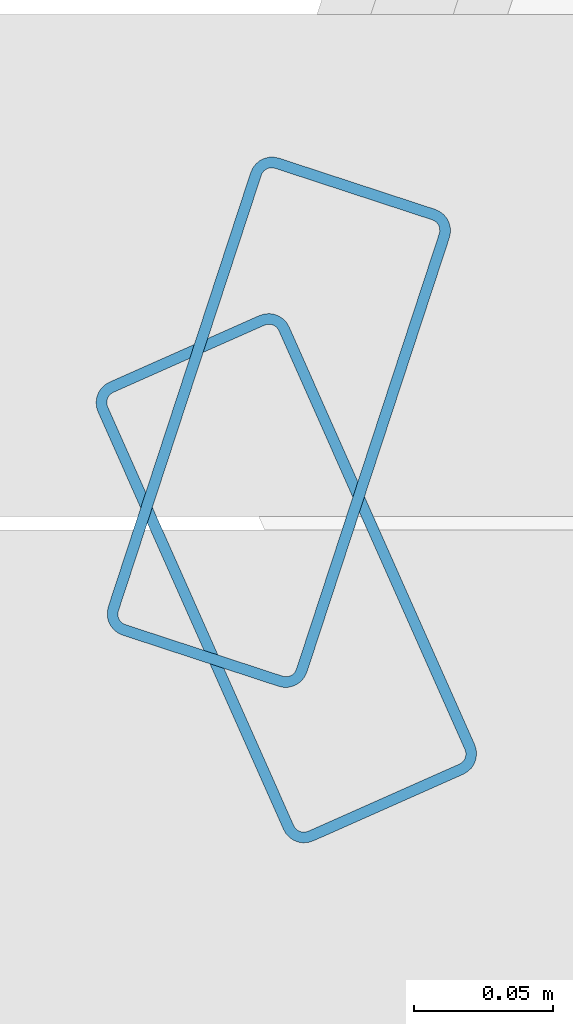
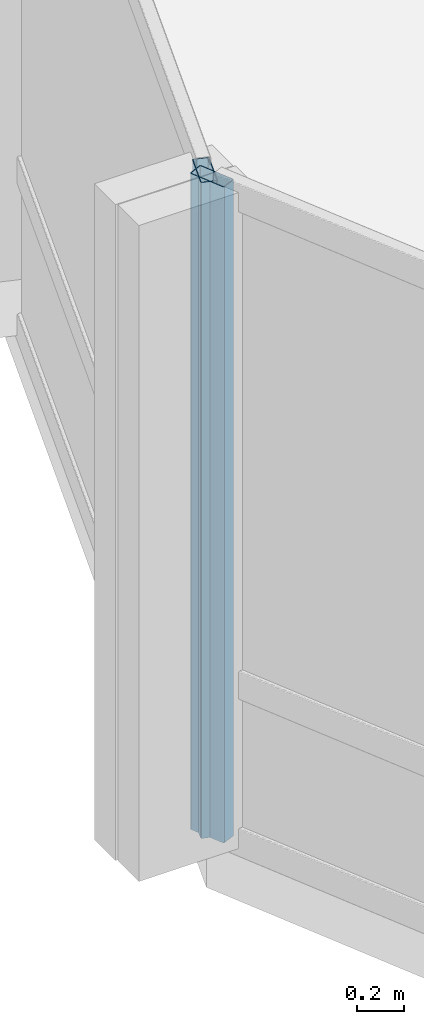
# One storey, part 6 of 29: 2 members, 2 elements without a shape of their own.
"""IFC4 building model written with IfcOpenShell, lengths in metres."""

from ifc_helpers import new_model, si_unit, direction, frame, origin, origin_2d, place, context, subcontext, project, spatial, hollow_rectangle, extrude, material, layer, layer_set, material_profile, profile_set, type_object, element, aggregate, save


model = new_model("IFC4")

# Units and contexts
model_context = context("Model", 3, precision=1e-05, world=origin(), true_north=direction((0.0, 1.0)))
body_context = subcontext(model_context, "Body", "Model", "MODEL_VIEW")
ifc_project = project(units=[si_unit("LENGTHUNIT", "METRE"), si_unit("AREAUNIT", "SQUARE_METRE"), si_unit("VOLUMEUNIT", "CUBIC_METRE"), si_unit("PLANEANGLEUNIT", "RADIAN"), si_unit("MASSUNIT", "GRAM", prefix="KILO")], contexts=[model_context])

# Site, building, storey
site_placement = place(None, origin())
site = spatial("IfcSite", under=ifc_project, at=site_placement, CompositionType="ELEMENT")
building_placement = place(site_placement, origin())
building = spatial("IfcBuilding", under=site, at=building_placement, Name="Solvaryn Broadcast Tower", CompositionType="ELEMENT")
storey_placement = place(building_placement, frame((0.0, 0.0, 161.800048828125)))
storey = spatial("IfcBuildingStorey", under=building, at=storey_placement, Name="L40", CompositionType="ELEMENT", Elevation=161.800048828125)

# Curtain wall, member
ifc_material_1 = material(Name="Aluminium and Terracotta Unitised Curtain Wall", Category="masonry")
ifc_layer_1 = layer(ifc_material_1, 0.199951171875)
ifc_layer_set_1 = layer_set([ifc_layer_1], Name="CW-SYS2-LOWMID")
curtain_wall_type_1 = type_object("IfcCurtainWallType", Name="CW-SYS2-LOWMID", PredefinedType="NOTDEFINED", material=ifc_layer_set_1)
curtain_wall_1_placement = place(storey_placement, origin())
curtain_wall_1 = element("IfcCurtainWall", 1, at=curtain_wall_1_placement, inside=storey, type_object=curtain_wall_type_1, Name="L40 Curtain Wall DR1", PredefinedType="NOTDEFINED")
ifc_material_2 = material(Name="Anodised Aluminium 6063-T6", Category="aluminium")
ifc_material_profile = material_profile(ifc_material_2, hollow_rectangle(XDim=0.074951171875, YDim=0.179931640625, WallThickness=0.00390625, InnerFilletRadius=0.00390625, OuterFilletRadius=0.008056640625, at=origin_2d()))
ifc_profile_set = profile_set([ifc_material_profile], Name="Anodised Aluminium 6063-T6")
member_type = type_object("IfcMemberType", Name="CW-MUL-180", PredefinedType="MULLION", material=ifc_profile_set)
member_1_placement = place(storey_placement, frame((1.04345703125, 26.66455078125, 0.0), z_axis=(0.0, 0.0, 1.0), x_axis=(0.950198260794, -0.311646057547, 0.0)))
member_1 = element("IfcMember", 2, at=member_1_placement, type_object=member_type, Name="CWS2 mullion 2", PredefinedType="MULLION", context=body_context, shape_type="SweptSolid", body=[
    extrude(hollow_rectangle(XDim=0.074951171875, YDim=0.179931640625, WallThickness=0.00390625, InnerFilletRadius=0.00390625, OuterFilletRadius=0.008056640625, at=origin_2d()), origin(), (0.0, 0.0, 1.0), 3.419921875),
])
aggregate(curtain_wall_1, [member_1])

ifc_material_3 = material(Name="Aluminium and Terracotta Unitised Curtain Wall", Category="masonry")
ifc_layer_2 = layer(ifc_material_3, 0.239990234375)
ifc_layer_set_2 = layer_set([ifc_layer_2], Name="CW-SYS3-BAYBOX")
curtain_wall_type_2 = type_object("IfcCurtainWallType", Name="CW-SYS3-BAYBOX", PredefinedType="NOTDEFINED", material=ifc_layer_set_2)
curtain_wall_2_placement = place(storey_placement, origin())
curtain_wall_2 = element("IfcCurtainWall", 3, at=curtain_wall_2_placement, inside=storey, type_object=curtain_wall_type_2, Name="L40 Curtain Wall DR2", PredefinedType="NOTDEFINED")
member_2_placement = place(storey_placement, frame((1.046142578125, 26.608642578125, 0.0), z_axis=(0.0, 0.0, 1.0), x_axis=(0.913909311008, 0.405918429309, 0.0)))
member_2 = element("IfcMember", 4, at=member_2_placement, type_object=member_type, Name="CWS3 mullion 1", PredefinedType="MULLION", context=body_context, shape_type="SweptSolid", body=[
    extrude(hollow_rectangle(XDim=0.074951171875, YDim=0.179931640625, WallThickness=0.00390625, InnerFilletRadius=0.00390625, OuterFilletRadius=0.008056640625, at=origin_2d()), origin(), (0.0, 0.0, 1.0), 3.419921875),
])
aggregate(curtain_wall_2, [member_2])

save(model, "model.ifc")
